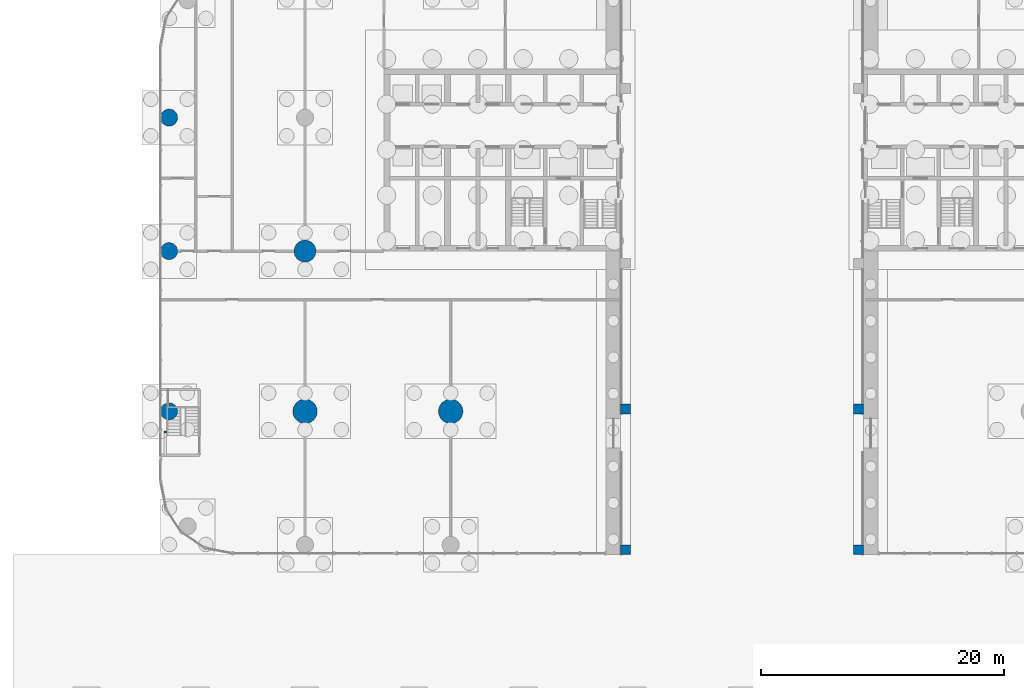
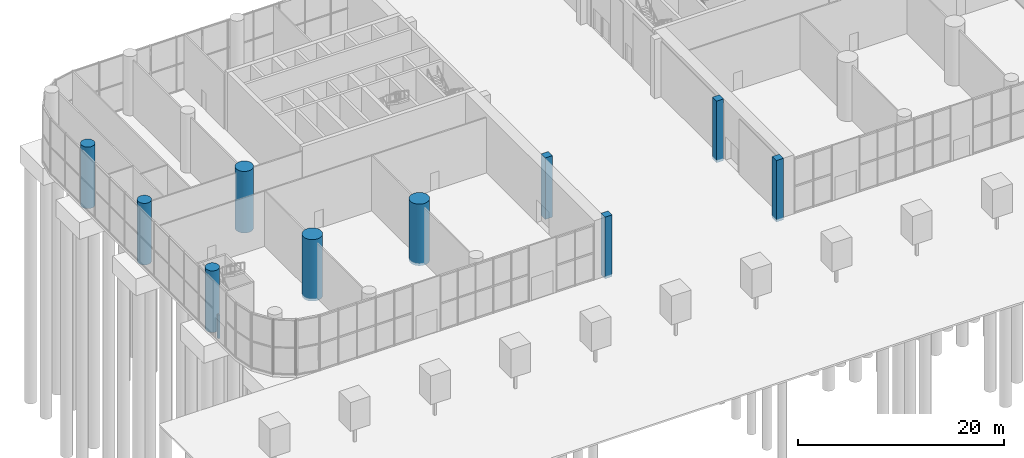
# One storey, part 3 of 26: 11 columns.
"""IFC4 building model written with IfcOpenShell, lengths in metres."""

import ifcopenshell
import ifcopenshell.guid

model = None  # the IFC model being written
_history = None  # IfcOwnerHistory: only IFC2X3 demands one
_inside = {}  # id of a spatial element -> (the spatial element, [elements in it])
_under = {}  # id of a project, library or spatial element -> (it, [spatial elements below it])
_declared = {}  # id of a project -> (the project, [libraries it declares])
_typed = {}  # id of a type object -> (the type object, [elements of that type])
_made_of = {}  # id of a material, layer set ... -> (it, [elements and type objects made of it])


def new_model(schema):
    """Start an empty IFC model of exactly this schema.

    Asked for "IFC4X3", IfcOpenShell would pick the latest addendum, in which some entities
    have other attributes; the version numbers below select the first issue.
    IFC2X3 requires an IfcOwnerHistory on every rooted entity: one is made here for all.
    """
    global model, _history
    if schema == "IFC4X3":
        model = ifcopenshell.file(schema_version=(4, 3, 0, 0))
    else:
        model = ifcopenshell.file(schema=schema)
    _inside.clear()
    _under.clear()
    _declared.clear()
    _typed.clear()
    _made_of.clear()
    _history = None
    if model.schema == "IFC2X3":
        org = make("IfcOrganization", Name="unknown")
        user = make(
            "IfcPersonAndOrganization",
            ThePerson=make("IfcPerson", FamilyName="unknown"),
            TheOrganization=org,
        )
        app = make(
            "IfcApplication",
            ApplicationDeveloper=org,
            Version="unknown",
            ApplicationFullName="unknown",
            ApplicationIdentifier="unknown",
        )
        _history = make(
            "IfcOwnerHistory",
            OwningUser=user,
            OwningApplication=app,
            ChangeAction="ADDED",
            CreationDate=0,
        )
    return model


def make(cls, **values):
    """One entity of the class cls with the attributes given. An attribute that is None is left unset."""
    return model.create_entity(
        cls, **{name: value for name, value in values.items() if value is not None}
    )


def rooted(cls, **values):
    """An entity with a GlobalId (a new one), such as an element, a storey or a relation."""
    return make(cls, GlobalId=ifcopenshell.guid.new(), OwnerHistory=_history, **values)


def si_unit(unit_type, name, prefix=None):
    """IfcSIUnit, for example si_unit("LENGTHUNIT", "METRE", prefix="MILLI")."""
    return make("IfcSIUnit", UnitType=unit_type, Prefix=prefix, Name=name)


def assignment(units):
    """IfcUnitAssignment: the units of a project."""
    return None if units is None else make("IfcUnitAssignment", Units=units)


def point(xyz):
    """IfcCartesianPoint."""
    return None if xyz is None else make("IfcCartesianPoint", Coordinates=xyz)


def direction(xyz):
    """IfcDirection."""
    return None if xyz is None else make("IfcDirection", DirectionRatios=xyz)


def frame(location, z_axis=None, x_axis=None):
    """IfcAxis2Placement3D, a coordinate frame: its origin and axes. An axis left out is left unset."""
    return make(
        "IfcAxis2Placement3D",
        Location=point(location),
        Axis=direction(z_axis),
        RefDirection=direction(x_axis),
    )


def frame_2d(location, x_axis=None):
    """IfcAxis2Placement2D, a coordinate frame in the plane: its origin and x axis."""
    return make(
        "IfcAxis2Placement2D", Location=point(location), RefDirection=direction(x_axis)
    )


def origin():
    """The frame at (0, 0, 0) with its axes left unset."""
    return frame((0.0, 0.0, 0.0))


def origin_2d():
    """The frame at (0, 0) in the plane with its x axis left unset."""
    return frame_2d((0.0, 0.0))


def place(relative_to, where):
    """IfcLocalPlacement: puts the frame where relative to a parent placement (None: the world)."""
    return make(
        "IfcLocalPlacement", PlacementRelTo=relative_to, RelativePlacement=where
    )


def context(
    kind, dimensions, precision=None, world=None, true_north=None, identifier=None
):
    """IfcGeometricRepresentationContext, for example the 3D "Model" context."""
    return make(
        "IfcGeometricRepresentationContext",
        ContextIdentifier=identifier,
        ContextType=kind,
        CoordinateSpaceDimension=dimensions,
        Precision=precision,
        WorldCoordinateSystem=world,
        TrueNorth=true_north,
    )


def subcontext(parent, identifier, kind, view, scale=None):
    """IfcGeometricRepresentationSubContext, for example "Body" below "Model"."""
    return make(
        "IfcGeometricRepresentationSubContext",
        ContextIdentifier=identifier,
        ContextType=kind,
        ParentContext=parent,
        TargetScale=scale,
        TargetView=view,
    )


def project(units=None, contexts=None):
    """IfcProject with its units and contexts."""
    return rooted(
        "IfcProject",
        Name="project",
        RepresentationContexts=contexts,
        UnitsInContext=assignment(units),
    )


def spatial(cls, under=None, at=None, **own):
    """A site, building, storey or space (cls), placed at a placement, below another one or the project."""
    s = rooted(cls, ObjectPlacement=at, **own)
    if under is not None:
        _under.setdefault(under.id(), (under, []))[1].append(s)
    return s


def profile(cls, at=None, kind="AREA", **sizes):
    """A parametric profile (cls). Its sizes go by their IFC names, for example OverallWidth=200.0."""
    return make(cls, ProfileType=kind, Position=at, **sizes)


def rectangle(**sizes):
    """IfcRectangleProfileDef."""
    return profile("IfcRectangleProfileDef", **sizes)


def circle(**sizes):
    """IfcCircleProfileDef."""
    return profile("IfcCircleProfileDef", **sizes)


def extrude(swept, where, along, depth):
    """IfcExtrudedAreaSolid: the profile swept, set in the frame where, extruded along a direction by depth."""
    return make(
        "IfcExtrudedAreaSolid",
        SweptArea=swept,
        Position=where,
        ExtrudedDirection=direction(along),
        Depth=depth,
    )


def shape(context_of_items, identifier, shape_type, items):
    """IfcShapeRepresentation: the items that make up one representation, for example the "Body"."""
    return make(
        "IfcShapeRepresentation",
        ContextOfItems=context_of_items,
        RepresentationIdentifier=identifier,
        RepresentationType=shape_type,
        Items=items,
    )


def material(Name=None, Category=None):
    """IfcMaterial."""
    return make("IfcMaterial", Name=Name, Category=Category)


def material_profile(
    of_material, cross_section, Name=None, Category=None, Priority=None
):
    """IfcMaterialProfile: a cross section and its material."""
    return make(
        "IfcMaterialProfile",
        Name=Name,
        Material=of_material,
        Profile=cross_section,
        Priority=Priority,
        Category=Category,
    )


def profile_set(profiles, Name=None, composite=None):
    """IfcMaterialProfileSet."""
    return make(
        "IfcMaterialProfileSet",
        Name=Name,
        MaterialProfiles=profiles,
        CompositeProfile=composite,
    )


def made_of(thing, what):
    """Note that an element or type object is made of a material, layer set ...; save() writes the relation."""
    if what is not None:
        _made_of.setdefault(what.id(), (what, []))[1].append(thing)
    return thing


def type_object(cls, material=None, **own):
    """A type object (cls), such as IfcWallType, which elements share."""
    return made_of(rooted(cls, **own), material)


def element(
    cls,
    number,
    at=None,
    inside=None,
    cuts=None,
    type_object=None,
    material=None,
    context=None,
    identifier="Body",
    shape_type=None,
    held_by="IfcProductDefinitionShape",
    body=None,
    shapes=None,
    **own,
):
    """One element of the class cls, such as IfcWall. Its Tag is "e" and its number.

    at: its placement. inside: the storey or other place that contains it. cuts: it is an
    opening in that element (IfcRelVoidsElement). A single representation is given by context,
    identifier, shape_type and body (its items); several are given by shapes. held_by: the class
    of the entity that holds the representations. save() writes the other relations.
    """
    e = rooted(cls, Tag="e%d" % number, ObjectPlacement=at, **own)
    if body is not None:
        shapes = [shape(context, identifier, shape_type, body)]
    if shapes is not None:
        e.Representation = make(held_by, Representations=shapes)
    if inside is not None:
        _inside.setdefault(inside.id(), (inside, []))[1].append(e)
    if cuts is not None:
        rooted(
            "IfcRelVoidsElement", RelatingBuildingElement=cuts, RelatedOpeningElement=e
        )
    if type_object is not None:
        _typed.setdefault(type_object.id(), (type_object, []))[1].append(e)
    return made_of(e, material)


def aggregate(whole, parts):
    """IfcRelAggregates: a whole, such as a stair, and the parts it consists of."""
    return rooted("IfcRelAggregates", RelatingObject=whole, RelatedObjects=parts)


def save(model, path):
    """Write the relations noted so far, then the file.

    IfcRelAggregates (storeys below a building ...), IfcRelContainedInSpatialStructure (elements
    in a storey), IfcRelDefinesByType, IfcRelAssociatesMaterial and IfcRelDeclares: one each for
    every whole, place, type object, material and project.
    """
    for whole, parts in _under.values():
        aggregate(whole, parts)
    for where, things in _inside.values():
        rooted(
            "IfcRelContainedInSpatialStructure",
            RelatedElements=things,
            RelatingStructure=where,
        )
    for kind, things in _typed.values():
        rooted("IfcRelDefinesByType", RelatedObjects=things, RelatingType=kind)
    for what, things in _made_of.values():
        rooted("IfcRelAssociatesMaterial", RelatedObjects=things, RelatingMaterial=what)
    for by, libraries in _declared.values():
        rooted("IfcRelDeclares", RelatingContext=by, RelatedDefinitions=libraries)
    model.write(path)


model = new_model("IFC4")

# Units and contexts
model_context = context("Model", 3, precision=1e-05, world=origin(), true_north=direction((0.0, 1.0)))
body_context = subcontext(model_context, "Body", "Model", "MODEL_VIEW")
ifc_project = project(units=[si_unit("LENGTHUNIT", "METRE"), si_unit("AREAUNIT", "SQUARE_METRE"), si_unit("VOLUMEUNIT", "CUBIC_METRE"), si_unit("PLANEANGLEUNIT", "RADIAN"), si_unit("MASSUNIT", "GRAM", prefix="KILO")], contexts=[model_context])

# Site, building, storey
site_placement = place(None, origin())
site = spatial("IfcSite", under=ifc_project, at=site_placement, CompositionType="ELEMENT")
building_placement = place(site_placement, origin())
building = spatial("IfcBuilding", under=site, at=building_placement, Name="Torana Hotel and Residences", CompositionType="ELEMENT")
storey_placement = place(building_placement, origin())
storey = spatial("IfcBuildingStorey", under=building, at=storey_placement, Name="L00", CompositionType="ELEMENT", Elevation=0.0)

# Columns
ifc_material_1 = material(Name="Concrete C60/75", Category="concrete")
ifc_material_profile_1 = material_profile(ifc_material_1, rectangle(XDim=0.800048828125, YDim=0.800048828125, at=origin_2d()), Name="RC 800x800")
ifc_profile_set_1 = profile_set([ifc_material_profile_1], Name="Concrete C60/75")
column_type_1 = type_object("IfcColumnType", Name="ARCH PIER RC 800x800 C60/75", PredefinedType="COLUMN", material=ifc_profile_set_1)
for number, where, z_axis, x_axis, name in (
    (1, (-9.60009765625, -39.60009765625, -0.300048828125), (0.0, 0.0, 1.0), (1.0, 0.0, 0.0), "Arch pier L00"),
    (2, (9.60009765625, -39.60009765625, -0.300048828125), (0.0, 0.0, 1.0), (1.0, 0.0, 0.0), "Arch pier L00"),
    (3, (-9.60009765625, -28.0, -0.300048828125), (0.0, 0.0, 1.0), (1.0, 0.0, 0.0), "Arch pier L00"),
    (4, (9.60009765625, -28.0, -0.300048828125), (0.0, 0.0, 1.0), (1.0, 0.0, 0.0), "Arch pier L00"),
):
    element("IfcColumn", number, at=place(storey_placement, frame(where, z_axis=z_axis, x_axis=x_axis)), inside=storey, type_object=column_type_1, Name=name, PredefinedType="COLUMN", context=body_context, shape_type="SweptSolid", body=[
        extrude(rectangle(XDim=0.800048828125, YDim=0.800048828125, at=origin_2d()), origin(), (0.0, 0.0, 1.0), 7.300048828125),
    ])
ifc_material_2 = material(Name="Concrete C70/85", Category="concrete")
ifc_material_profile_2 = material_profile(ifc_material_2, circle(Radius=0.699951171875, at=origin_2d()), Name="RCD 1400")
ifc_profile_set_2 = profile_set([ifc_material_profile_2], Name="Concrete C70/85")
column_type_2 = type_object("IfcColumnType", Name="COLUMN RCD 1400 C70/85", PredefinedType="COLUMN", material=ifc_profile_set_2)
for number, where, z_axis, x_axis, name in (
    (5, (-47.199951171875, -28.199951171875, -0.300048828125), (0.0, 0.0, 1.0), (1.0, 0.0, 0.0), "Column L00"),
    (6, (-47.199951171875, -15.0, -0.300048828125), (0.0, 0.0, 1.0), (1.0, 0.0, 0.0), "Column L00"),
    (7, (-47.199951171875, -4.0, -0.300048828125), (0.0, 0.0, 1.0), (1.0, 0.0, 0.0), "Column L00"),
):
    element("IfcColumn", number, at=place(storey_placement, frame(where, z_axis=z_axis, x_axis=x_axis)), inside=storey, type_object=column_type_2, Name=name, PredefinedType="COLUMN", context=body_context, shape_type="SweptSolid", body=[
        extrude(circle(Radius=0.699951171875, at=origin_2d()), origin(), (0.0, 0.0, 1.0), 7.300048828125),
    ])
ifc_material_3 = material(Name="Concrete C70/85", Category="concrete")
ifc_material_profile_3 = material_profile(ifc_material_3, circle(Radius=0.89990234375, at=origin_2d()), Name="RCD 1800")
ifc_profile_set_3 = profile_set([ifc_material_profile_3], Name="Concrete C70/85")
column_type_3 = type_object("IfcColumnType", Name="COLUMN RCD 1800 C70/85", PredefinedType="COLUMN", material=ifc_profile_set_3)
column_1_placement = place(storey_placement, frame((-36.0, -15.0, -0.300048828125), z_axis=(0.0, 0.0, 1.0), x_axis=(1.0, 0.0, 0.0)))
element("IfcColumn", 8, at=column_1_placement, inside=storey, type_object=column_type_3, Name="Column L00", PredefinedType="COLUMN", context=body_context, shape_type="SweptSolid", body=[
    extrude(circle(Radius=0.89990234375, at=origin_2d()), origin(), (0.0, 0.0, 1.0), 7.300048828125),
])
ifc_material_4 = material(Name="Concrete C70/85", Category="concrete")
ifc_material_profile_4 = material_profile(ifc_material_4, circle(Radius=1.0, at=origin_2d()), Name="RCD 2000")
ifc_profile_set_4 = profile_set([ifc_material_profile_4], Name="Concrete C70/85")
column_type_4 = type_object("IfcColumnType", Name="COLUMN RCD 2000 C70/85", PredefinedType="COLUMN", material=ifc_profile_set_4)
for number, where, z_axis, x_axis, name in (
    (9, (-36.0, -28.199951171875, -0.300048828125), (0.0, 0.0, 1.0), (1.0, 0.0, 0.0), "Column L00"),
    (10, (-24.0, -28.199951171875, -0.300048828125), (0.0, 0.0, 1.0), (1.0, 0.0, 0.0), "Column L00"),
):
    element("IfcColumn", number, at=place(storey_placement, frame(where, z_axis=z_axis, x_axis=x_axis)), inside=storey, type_object=column_type_4, Name=name, PredefinedType="COLUMN", context=body_context, shape_type="SweptSolid", body=[
        extrude(circle(Radius=1.0, at=origin_2d()), origin(), (0.0, 0.0, 1.0), 7.300048828125),
    ])
ifc_material_5 = material(Name="Concrete C40/50", Category="concrete")
ifc_material_profile_5 = material_profile(ifc_material_5, rectangle(XDim=0.199951171875, YDim=0.199951171875, at=origin_2d()), Name="RC 200x200")
ifc_profile_set_5 = profile_set([ifc_material_profile_5], Name="Concrete C40/50")
column_type_5 = type_object("IfcColumnType", Name="STAIR POST RC 200x200 C40/50", PredefinedType="COLUMN", material=ifc_profile_set_5)
column_2_placement = place(storey_placement, frame((-47.5, -29.89990234375, -0.300048828125), z_axis=(0.0, 0.0, 1.0), x_axis=(1.0, 0.0, 0.0)))
element("IfcColumn", 11, at=column_2_placement, inside=storey, type_object=column_type_5, Name="Stair post ST5", PredefinedType="COLUMN", context=body_context, shape_type="SweptSolid", body=[
    extrude(rectangle(XDim=0.199951171875, YDim=0.199951171875, at=origin_2d()), origin(), (0.0, 0.0, 1.0), 2.800048828125),
])

save(model, "model.ifc")
